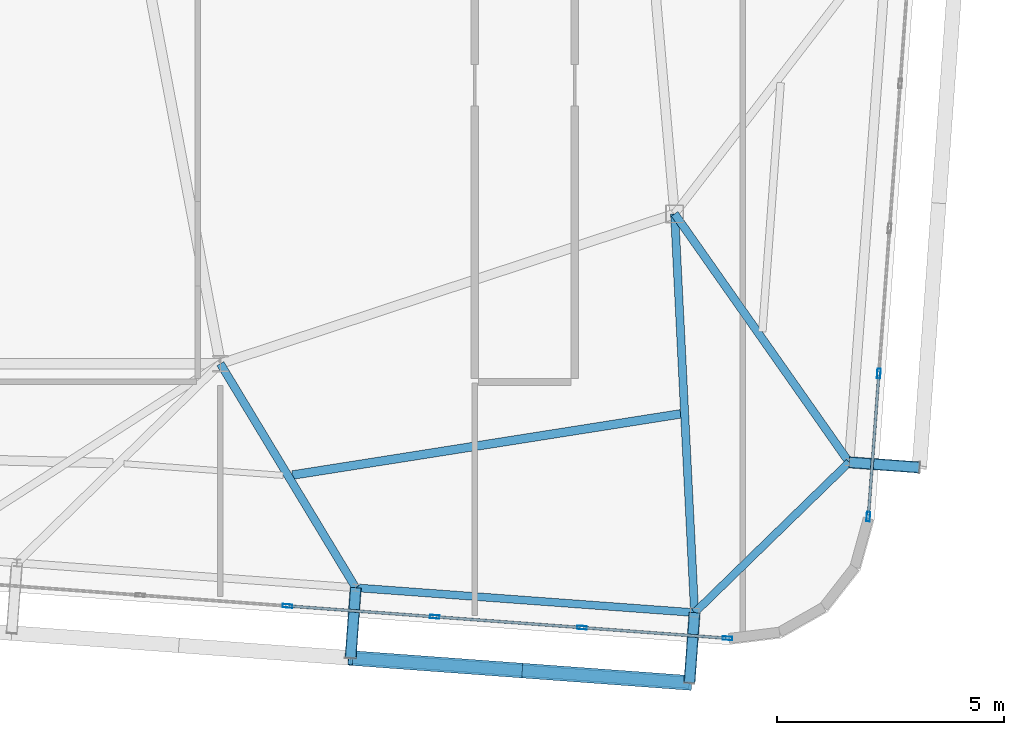
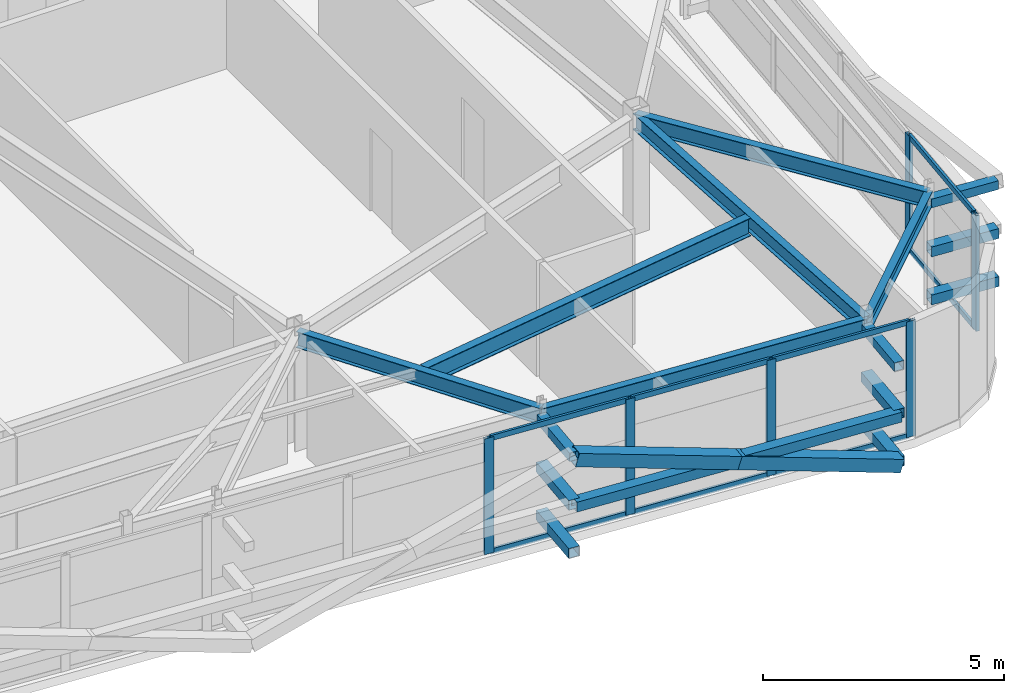
# One storey, part 19 of 42: 26 members, 6 beams, 2 elements without a shape of their own.
"""IFC4 building model written with IfcOpenShell, lengths in metres."""

from ifc_helpers import new_model, si_unit, direction, frame, origin, origin_2d, place, context, subcontext, project, spatial, hollow_rectangle, i_section, extrude, source, transform, mapped, material, layer, layer_set, material_profile, profile_set, type_object, element, aggregate, save


model = new_model("IFC4")

# Units and contexts
model_context = context("Model", 3, precision=1e-05, world=origin(), true_north=direction((0.0, 1.0)))
body_context = subcontext(model_context, "Body", "Model", "MODEL_VIEW")
ifc_project = project(units=[si_unit("LENGTHUNIT", "METRE"), si_unit("AREAUNIT", "SQUARE_METRE"), si_unit("VOLUMEUNIT", "CUBIC_METRE"), si_unit("PLANEANGLEUNIT", "RADIAN"), si_unit("MASSUNIT", "GRAM", prefix="KILO")], contexts=[model_context])

# Site, building, storey
site_placement = place(None, origin())
site = spatial("IfcSite", under=ifc_project, at=site_placement, CompositionType="ELEMENT")
building_placement = place(site_placement, origin())
building = spatial("IfcBuilding", under=site, at=building_placement, Name="Taldren Reach Tower", CompositionType="ELEMENT")
storey_placement = place(building_placement, frame((0.0, 0.0, 214.550048828125)))
storey = spatial("IfcBuildingStorey", under=building, at=storey_placement, Name="L65", CompositionType="ELEMENT", Elevation=214.550048828125)

# Members
ifc_material_1 = material(Name="Steel Gr 350 (C350L0)", Category="steel")
ifc_material_profile_1 = material_profile(ifc_material_1, hollow_rectangle(XDim=0.25, YDim=0.25, WallThickness=0.010009765625, at=origin_2d()), Name="250x250x10.0SHS")
ifc_profile_set_1 = profile_set([ifc_material_profile_1], Name="Steel Gr 350 (C350L0)")
member_type_1 = type_object("IfcMemberType", Name="MB-POST250", PredefinedType="POST", material=ifc_profile_set_1)
shared_shape_1 = source(origin(), body_context, "Body", "SweptSolid", [
    extrude(hollow_rectangle(XDim=0.25, YDim=0.25, WallThickness=0.010009765625, at=origin_2d()), origin(), (0.0, 0.0, 1.0), 1.550048828125),
])
for number, where, z_axis, x_axis, name in (
    (1, (44.980224609375, 4.26904296875, 0.219970703125), (-0.07323929162, -0.997314396849, 0.0), (0.997314396849, -0.07323929162, 0.0), "Exoskeleton base diaphragm tie strut B5-S5 L65"),
    (2, (52.440185546875, 3.72119140625, 0.219970703125), (-0.07323929162, -0.997314396849, 0.0), (0.997314396849, -0.07323929162, 0.0), "Exoskeleton base diaphragm tie strut B5-S6 L65"),
    (3, (44.980224609375, 4.26904296875, 1.43505859375), (-0.07323929162, -0.997314396849, 0.0), (0.997314396849, -0.07323929162, 0.0), "Exoskeleton mid-tier diaphragm tie B5-S5 L65"),
    (4, (52.440185546875, 3.72119140625, 1.43505859375), (-0.07323929162, -0.997314396849, 0.0), (0.997314396849, -0.07323929162, 0.0), "Exoskeleton mid-tier diaphragm tie B5-S6 L65"),
):
    element("IfcMember", number, at=place(storey_placement, frame(where, z_axis=z_axis, x_axis=x_axis)), inside=storey, type_object=member_type_1, Name=name, PredefinedType="POST", context=body_context, shape_type="MappedRepresentation", body=[
        mapped(shared_shape_1, transform((0.0, 0.0, 0.0), scale=1.0)),
    ])
ifc_material_2 = material(Name="Steel Gr 450 (C450L0)", Category="steel")
ifc_material_profile_2 = material_profile(ifc_material_2, hollow_rectangle(XDim=0.219970703125, YDim=0.219970703125, WallThickness=0.00830078125, at=origin_2d()), Name="220x220x8.2SHS")
ifc_profile_set_2 = profile_set([ifc_material_profile_2], Name="Steel Gr 450 (C450L0)")
member_type_2 = type_object("IfcMemberType", Name="MB-TIE219", PredefinedType="STRUT", material=ifc_profile_set_2)
shared_shape_2 = source(origin(), body_context, "Body", "SweptSolid", [
    extrude(hollow_rectangle(XDim=0.219970703125, YDim=0.219970703125, WallThickness=0.00830078125, at=origin_2d()), origin(), (0.0, 0.0, 1.0), 1.550048828125),
])
for number, where, z_axis, x_axis, name in (
    (5, (44.980224609375, 4.26904296875, 2.64990234375), (-0.07323929162, -0.997314396849, 0.0), (0.997314396849, -0.07323929162, 0.0), "Exoskeleton diaphragm tie strut B5-S5 L65"),
    (6, (52.440185546875, 3.72119140625, 2.64990234375), (-0.07323929162, -0.997314396849, 0.0), (0.997314396849, -0.07323929162, 0.0), "Exoskeleton diaphragm tie strut B5-S6 L65"),
):
    element("IfcMember", number, at=place(storey_placement, frame(where, z_axis=z_axis, x_axis=x_axis)), inside=storey, type_object=member_type_2, Name=name, PredefinedType="STRUT", context=body_context, shape_type="MappedRepresentation", body=[
        mapped(shared_shape_2, transform((0.0, 0.0, 0.0), scale=1.0)),
    ])

# Beams
ifc_material_3 = material(Name="Steel Gr 350 (350PLUS)", Category="steel")
ifc_material_profile_3 = material_profile(ifc_material_3, i_section(OverallWidth=0.172119140625, OverallDepth=0.35888671875, WebThickness=0.008056640625, FlangeThickness=0.012939453125, at=origin_2d()), Name="360UB56.7")
ifc_profile_set_3 = profile_set([ifc_material_profile_3], Name="Steel Gr 350 (350PLUS)")
beam_type_1 = type_object("IfcBeamType", Name="SP-UB360", PredefinedType="SPANDREL", material=ifc_profile_set_3)
shared_shape_3 = source(origin(), body_context, "Body", "SweptSolid", [
    extrude(i_section(OverallWidth=0.172119140625, OverallDepth=0.35888671875, WebThickness=0.008056640625, FlangeThickness=0.012939453125, at=origin_2d()), origin(), (0.0, 0.0, 1.0), 7.47998046875),
])
beam_1_placement = place(storey_placement, frame((44.980224609375, 4.26904296875, 2.75048828125), z_axis=(0.997314220642, -0.07324169103, 0.0), x_axis=(0.07324169103, 0.997314220642, 0.0)))
element("IfcBeam", 7, at=beam_1_placement, inside=storey, type_object=beam_type_1, Name="Perimeter spandrel B5 S5-S6 L65", PredefinedType="SPANDREL", context=body_context, shape_type="MappedRepresentation", body=[
    mapped(shared_shape_3, transform((0.0, 0.0, 0.0), scale=1.0)),
])
shared_shape_4 = source(origin(), body_context, "Body", "SweptSolid", [
    extrude(i_section(OverallWidth=0.172119140625, OverallDepth=0.35888671875, WebThickness=0.008056640625, FlangeThickness=0.012939453125, at=origin_2d()), origin(), (0.0, 0.0, 1.0), 4.74609375),
])
beam_2_placement = place(storey_placement, frame((52.440185546875, 3.72119140625, 2.75048828125), z_axis=(0.716711338436, 0.697369957309, 0.0), x_axis=(-0.697369957309, 0.716711338436, 0.0)))
element("IfcBeam", 8, at=beam_2_placement, inside=storey, type_object=beam_type_1, Name="Perimeter spandrel B5 S6-E1 L65", PredefinedType="SPANDREL", context=body_context, shape_type="MappedRepresentation", body=[
    mapped(shared_shape_4, transform((0.0, 0.0, 0.0), scale=1.0)),
])
ifc_material_profile_4 = material_profile(ifc_material_3, i_section(OverallWidth=0.177978515625, OverallDepth=0.406005859375, WebThickness=0.0078125, FlangeThickness=0.0126953125, at=origin_2d()), Name="410UB59.7")
ifc_profile_set_4 = profile_set([ifc_material_profile_4], Name="Steel Gr 350 (350PLUS)")
beam_type_2 = type_object("IfcBeamType", Name="BM-UB410", PredefinedType="BEAM", material=ifc_profile_set_4)
shared_shape_5 = source(origin(), body_context, "Body", "SweptSolid", [
    extrude(i_section(OverallWidth=0.177978515625, OverallDepth=0.406005859375, WebThickness=0.0078125, FlangeThickness=0.0126953125, at=origin_2d()), origin(), (0.0, 0.0, 1.0), 5.761474609375),
])
beam_3_placement = place(storey_placement, frame((42.0, 9.199951171875, 2.72705078125), z_axis=(0.517259852514, -0.855828396922, 0.0), x_axis=(0.855828396922, 0.517259852514, 0.0)))
element("IfcBeam", 9, at=beam_3_placement, inside=storey, type_object=beam_type_2, Name="Primary floor girder B5-S5 L65", PredefinedType="BEAM", context=body_context, shape_type="MappedRepresentation", body=[
    mapped(shared_shape_5, transform((0.0, 0.0, 0.0), scale=1.0)),
])
shared_shape_6 = source(origin(), body_context, "Body", "SweptSolid", [
    extrude(i_section(OverallWidth=0.177978515625, OverallDepth=0.406005859375, WebThickness=0.0078125, FlangeThickness=0.0126953125, at=origin_2d()), origin(), (0.0, 0.0, 1.0), 8.789794921875),
])
beam_4_placement = place(storey_placement, frame((52.0, 12.5, 2.72705078125), z_axis=(0.050078917367, -0.998745263836, 0.0), x_axis=(0.998745263836, 0.050078917367, 0.0)))
element("IfcBeam", 10, at=beam_4_placement, inside=storey, type_object=beam_type_2, Name="Primary floor girder B5-S6 L65", PredefinedType="BEAM", context=body_context, shape_type="MappedRepresentation", body=[
    mapped(shared_shape_6, transform((0.0, 0.0, 0.0), scale=1.0)),
])
shared_shape_7 = source(origin(), body_context, "Body", "SweptSolid", [
    extrude(i_section(OverallWidth=0.177978515625, OverallDepth=0.406005859375, WebThickness=0.0078125, FlangeThickness=0.0126953125, at=origin_2d()), origin(), (0.0, 0.0, 1.0), 6.68359375),
])
beam_5_placement = place(storey_placement, frame((52.0, 12.5, 2.72705078125), z_axis=(0.574817292651, -0.818281785249, 0.0), x_axis=(0.818281785249, 0.574817292651, 0.0)))
element("IfcBeam", 11, at=beam_5_placement, inside=storey, type_object=beam_type_2, Name="Primary floor girder B5-E1 L65", PredefinedType="BEAM", context=body_context, shape_type="MappedRepresentation", body=[
    mapped(shared_shape_7, transform((0.0, 0.0, 0.0), scale=1.0)),
])
ifc_material_profile_5 = material_profile(ifc_material_3, i_section(OverallWidth=0.19091796875, OverallDepth=0.4599609375, WebThickness=0.010009765625, FlangeThickness=0.01611328125, at=origin_2d()), Name="460UB82.1")
ifc_profile_set_5 = profile_set([ifc_material_profile_5], Name="Steel Gr 350 (350PLUS)")
beam_type_3 = type_object("IfcBeamType", Name="BM-UB460A", PredefinedType="BEAM", material=ifc_profile_set_5)
shared_shape_8 = source(origin(), body_context, "Body", "SweptSolid", [
    extrude(i_section(OverallWidth=0.19091796875, OverallDepth=0.4599609375, WebThickness=0.010009765625, FlangeThickness=0.01611328125, at=origin_2d()), origin(), (0.0, 0.0, 1.0), 8.65185546875),
])
beam_6_placement = place(storey_placement, frame((43.585205078125, 6.74951171875, 2.699951171875), z_axis=(0.987803200413, 0.155707537562, 0.0), x_axis=(-0.155707537562, 0.987803200413, 0.0)))
element("IfcBeam", 12, at=beam_6_placement, inside=storey, type_object=beam_type_3, Name="Secondary floor beam B5 J5 L65", PredefinedType="BEAM", context=body_context, shape_type="MappedRepresentation", body=[
    mapped(shared_shape_8, transform((0.0, 0.0, 0.0), scale=1.0)),
])

# Members
shared_shape_9 = source(origin(), body_context, "Body", "SweptSolid", [
    extrude(hollow_rectangle(XDim=0.219970703125, YDim=0.219970703125, WallThickness=0.00830078125, at=origin_2d()), origin(), (0.0, 0.0, 1.0), 1.546142578125),
])
member_1_placement = place(storey_placement, frame((55.845703125, 7.030517578125, 2.64990234375), z_axis=(0.997323903953, -0.073109716202, 0.0), x_axis=(0.073109716202, 0.997323903953, 0.0)))
element("IfcMember", 13, at=member_1_placement, inside=storey, type_object=member_type_2, Name="Exoskeleton diaphragm tie strut B5-E1 L65", PredefinedType="STRUT", context=body_context, shape_type="MappedRepresentation", body=[
    mapped(shared_shape_9, transform((0.0, 0.0, 0.0), scale=1.0)),
])
ifc_material_profile_6 = material_profile(ifc_material_2, hollow_rectangle(XDim=0.324951171875, YDim=0.324951171875, WallThickness=0.0126953125, at=origin_2d()), Name="325x325x12.7SHS")
ifc_profile_set_6 = profile_set([ifc_material_profile_6], Name="Steel Gr 450 (C450L0)")
member_type_3 = type_object("IfcMemberType", Name="MB-BR324", PredefinedType="BRACE", material=ifc_profile_set_6)
shared_shape_10 = source(origin(), body_context, "Body", "SweptSolid", [
    extrude(hollow_rectangle(XDim=0.324951171875, YDim=0.324951171875, WallThickness=0.0126953125, at=origin_2d()), origin(), (0.0, 0.0, 1.0), 3.932373046875),
])
for number, where, z_axis, x_axis, name in (
    (14, (52.32666015625, 2.17529296875, 0.219970703125), (-0.948511132845, 0.069657644394, 0.308989390507), (-0.07324169103, -0.997314220642, 0.0), "Exoskeleton Diagrid Brace B5-S5 L65"),
    (15, (48.5966796875, 2.44921875, 1.43505859375), (-0.948529326954, 0.06965898055, 0.308933232813), (-0.07324169103, -0.997314220642, 0.0), "Exoskeleton Diagrid Brace B5-S5 L65"),
):
    element("IfcMember", number, at=place(storey_placement, frame(where, z_axis=z_axis, x_axis=x_axis)), inside=storey, type_object=member_type_3, Name=name, PredefinedType="BRACE", context=body_context, shape_type="MappedRepresentation", body=[
        mapped(shared_shape_10, transform((0.0, 0.0, 0.0), scale=1.0)),
    ])
shared_shape_11 = source(origin(), body_context, "Body", "SweptSolid", [
    extrude(hollow_rectangle(XDim=0.25, YDim=0.25, WallThickness=0.010009765625, at=origin_2d()), origin(), (0.0, 0.0, 1.0), 7.47998046875),
])
member_2_placement = place(storey_placement, frame((44.86669921875, 2.72314453125, 1.43505859375), z_axis=(0.997314220642, -0.07324169103, 0.0), x_axis=(0.07324169103, 0.997314220642, 0.0)))
element("IfcMember", 16, at=member_2_placement, inside=storey, type_object=member_type_1, Name="Exoskeleton mid-height ring chord B5-S5 L65", PredefinedType="POST", context=body_context, shape_type="MappedRepresentation", body=[
    mapped(shared_shape_11, transform((0.0, 0.0, 0.0), scale=1.0)),
])
shared_shape_12 = source(origin(), body_context, "Body", "SweptSolid", [
    extrude(hollow_rectangle(XDim=0.25, YDim=0.25, WallThickness=0.010009765625, at=origin_2d()), origin(), (0.0, 0.0, 1.0), 1.546142578125),
])
for number, where, z_axis, x_axis, name in (
    (17, (55.845703125, 7.030517578125, 0.219970703125), (0.997323903953, -0.073109716202, 0.0), (0.073109716202, 0.997323903953, 0.0), "Exoskeleton base diaphragm tie strut B5-E1 L65"),
    (18, (55.845703125, 7.030517578125, 1.43505859375), (0.997323903953, -0.073109716202, 0.0), (0.073109716202, 0.997323903953, 0.0), "Exoskeleton mid-tier diaphragm tie B5-E1 L65"),
):
    element("IfcMember", number, at=place(storey_placement, frame(where, z_axis=z_axis, x_axis=x_axis)), inside=storey, type_object=member_type_1, Name=name, PredefinedType="POST", context=body_context, shape_type="MappedRepresentation", body=[
        mapped(shared_shape_12, transform((0.0, 0.0, 0.0), scale=1.0)),
    ])

# Curtain wall, members
ifc_material_4 = material(Name="Aluminium and Low-E Glass Unitised System", Category="aluminium")
ifc_layer = layer(ifc_material_4, 0.159912109375)
ifc_layer_set = layer_set([ifc_layer], Name="Aluminium and Low-E Glass Unitised System")
curtain_wall_type = type_object("IfcCurtainWallType", Name="CW-SYS-6", PredefinedType="NOTDEFINED", material=ifc_layer_set)
curtain_wall_1_placement = place(storey_placement, origin())
curtain_wall_1 = element("IfcCurtainWall", 19, at=curtain_wall_1_placement, inside=storey, type_object=curtain_wall_type, Name="Unitised curtain wall CW-L65-S", PredefinedType="NOTDEFINED")
ifc_material_5 = material(Name="Anodised Aluminium 6063-T6", Category="aluminium")
ifc_material_profile_7 = material_profile(ifc_material_5, hollow_rectangle(XDim=0.074951171875, YDim=0.2099609375, WallThickness=0.00439453125, at=origin_2d()), Name="ALU-210x75x4.5RHS")
ifc_profile_set_7 = profile_set([ifc_material_profile_7], Name="Anodised Aluminium 6063-T6")
member_type_4 = type_object("IfcMemberType", Name="CW-MUL-200", PredefinedType="MULLION", material=ifc_profile_set_7)
shared_shape_13 = source(origin(), body_context, "Body", "SweptSolid", [
    extrude(hollow_rectangle(XDim=0.074951171875, YDim=0.2099609375, WallThickness=0.00439453125, at=origin_2d()), origin(), (0.0, 0.0, 1.0), 2.929931640625),
])
member_3_placement = place(storey_placement, frame((43.476806640625, 3.867919921875, 0.0), z_axis=(0.0, 0.0, 1.0), x_axis=(0.073238213716, 0.997314476006, 0.0)))
member_3 = element("IfcMember", 20, at=member_3_placement, type_object=member_type_4, Name="CW-6 mullion 10", PredefinedType="MULLION", context=body_context, shape_type="MappedRepresentation", body=[
    mapped(shared_shape_13, transform((0.0, 0.0, 0.0), scale=1.0)),
])
member_4_placement = place(storey_placement, frame((46.71826171875, 3.6298828125, 0.0), z_axis=(0.0, 0.0, 1.0), x_axis=(0.073238213716, 0.997314476006, 0.0)))
member_4 = element("IfcMember", 21, at=member_4_placement, type_object=member_type_4, Name="CW-6 mullion 11", PredefinedType="MULLION", context=body_context, shape_type="MappedRepresentation", body=[
    mapped(shared_shape_13, transform((0.0, 0.0, 0.0), scale=1.0)),
])
member_5_placement = place(storey_placement, frame((49.95947265625, 3.391845703125, 0.0), z_axis=(0.0, 0.0, 1.0), x_axis=(0.073238213716, 0.997314476006, 0.0)))
member_5 = element("IfcMember", 22, at=member_5_placement, type_object=member_type_4, Name="CW-6 mullion 12", PredefinedType="MULLION", context=body_context, shape_type="MappedRepresentation", body=[
    mapped(shared_shape_13, transform((0.0, 0.0, 0.0), scale=1.0)),
])
member_6_placement = place(storey_placement, frame((53.163330078125, 3.15673828125, 0.0), z_axis=(0.0, 0.0, 1.0), x_axis=(0.073238213716, 0.997314476006, 0.0)))
member_6 = element("IfcMember", 23, at=member_6_placement, type_object=member_type_4, Name="CW-6 mullion 13", PredefinedType="MULLION", context=body_context, shape_type="MappedRepresentation", body=[
    mapped(shared_shape_13, transform((0.0, 0.0, 0.0), scale=1.0)),
])

curtain_wall_2_placement = place(storey_placement, origin())
curtain_wall_2 = element("IfcCurtainWall", 24, at=curtain_wall_2_placement, inside=storey, type_object=curtain_wall_type, Name="Unitised curtain wall CW-L65-E", PredefinedType="NOTDEFINED")
member_7_placement = place(storey_placement, frame((56.26513671875, 5.834228515625, 0.0), z_axis=(0.0, 0.0, 1.0), x_axis=(-0.997314470951, 0.073238282558, 0.0)))
member_7 = element("IfcMember", 25, at=member_7_placement, type_object=member_type_4, Name="CW-6 mullion 1", PredefinedType="MULLION", context=body_context, shape_type="MappedRepresentation", body=[
    mapped(shared_shape_13, transform((0.0, 0.0, 0.0), scale=1.0)),
])
member_8_placement = place(storey_placement, frame((56.496826171875, 8.98828125, 0.0), z_axis=(0.0, 0.0, 1.0), x_axis=(-0.997314470951, 0.073238282558, 0.0)))
member_8 = element("IfcMember", 26, at=member_8_placement, type_object=member_type_4, Name="CW-6 mullion 2", PredefinedType="MULLION", context=body_context, shape_type="MappedRepresentation", body=[
    mapped(shared_shape_13, transform((0.0, 0.0, 0.0), scale=1.0)),
])

# Member
ifc_material_profile_8 = material_profile(ifc_material_5, hollow_rectangle(XDim=0.06005859375, YDim=0.135009765625, WallThickness=0.00341796875, at=origin_2d()), Name="ALU-135x60x3.5RHS")
ifc_profile_set_8 = profile_set([ifc_material_profile_8], Name="Anodised Aluminium 6063-T6")
member_type_5 = type_object("IfcMemberType", Name="CW-TRN-150", PredefinedType="USERDEFINED", material=ifc_profile_set_8)
shared_shape_14 = source(origin(), body_context, "Body", "SweptSolid", [
    extrude(hollow_rectangle(XDim=0.06005859375, YDim=0.135009765625, WallThickness=0.00341796875, at=origin_2d()), origin(), (0.0, 0.0, 1.0), 3.1748046875),
])
member_9_placement = place(storey_placement, frame((43.514404296875, 3.865234375, 0.030029296875), z_axis=(0.997316632709, -0.073208839104, 0.0), x_axis=(0.073208839104, 0.997316632709, 0.0)))
member_9 = element("IfcMember", 27, at=member_9_placement, type_object=member_type_5, Name="CW-6 transom 10.1", ObjectType="TRANSOM", PredefinedType="USERDEFINED", context=body_context, shape_type="MappedRepresentation", body=[
    mapped(shared_shape_14, transform((0.0, 0.0, 0.0), scale=1.0)),
])

member_10_placement = place(storey_placement, frame((43.514404296875, 3.865234375, 2.89990234375), z_axis=(0.997316632709, -0.073208839104, 0.0), x_axis=(0.073208839104, 0.997316632709, 0.0)))
member_10 = element("IfcMember", 28, at=member_10_placement, type_object=member_type_5, Name="CW-6 transom 10.2", ObjectType="TRANSOM", PredefinedType="USERDEFINED", context=body_context, shape_type="MappedRepresentation", body=[
    mapped(shared_shape_14, transform((0.0, 0.0, 0.0), scale=1.0)),
])

shared_shape_15 = source(origin(), body_context, "Body", "SweptSolid", [
    extrude(hollow_rectangle(XDim=0.06005859375, YDim=0.135009765625, WallThickness=0.00341796875, at=origin_2d()), origin(), (0.0, 0.0, 1.0), 3.175048828125),
])
member_11_placement = place(storey_placement, frame((46.755615234375, 3.627197265625, 0.030029296875), z_axis=(0.99731704481, -0.073203224877, 0.0), x_axis=(0.073203224877, 0.99731704481, 0.0)))
member_11 = element("IfcMember", 29, at=member_11_placement, type_object=member_type_5, Name="CW-6 transom 11.1", ObjectType="TRANSOM", PredefinedType="USERDEFINED", context=body_context, shape_type="MappedRepresentation", body=[
    mapped(shared_shape_15, transform((0.0, 0.0, 0.0), scale=1.0)),
])

member_12_placement = place(storey_placement, frame((46.755615234375, 3.627197265625, 2.89990234375), z_axis=(0.99731704481, -0.073203224877, 0.0), x_axis=(0.073203224877, 0.99731704481, 0.0)))
member_12 = element("IfcMember", 30, at=member_12_placement, type_object=member_type_5, Name="CW-6 transom 11.2", ObjectType="TRANSOM", PredefinedType="USERDEFINED", context=body_context, shape_type="MappedRepresentation", body=[
    mapped(shared_shape_15, transform((0.0, 0.0, 0.0), scale=1.0)),
])

shared_shape_16 = source(origin(), body_context, "Body", "SweptSolid", [
    extrude(hollow_rectangle(XDim=0.06005859375, YDim=0.135009765625, WallThickness=0.00341796875, at=origin_2d()), origin(), (0.0, 0.0, 1.0), 3.137451171875),
])
member_13_placement = place(storey_placement, frame((49.996826171875, 3.38916015625, 0.030029296875), z_axis=(0.997315736795, -0.073221043015, 0.0), x_axis=(0.073221043015, 0.997315736795, 0.0)))
member_13 = element("IfcMember", 31, at=member_13_placement, type_object=member_type_5, Name="CW-6 transom 12.1", ObjectType="TRANSOM", PredefinedType="USERDEFINED", context=body_context, shape_type="MappedRepresentation", body=[
    mapped(shared_shape_16, transform((0.0, 0.0, 0.0), scale=1.0)),
])

member_14_placement = place(storey_placement, frame((49.996826171875, 3.38916015625, 2.89990234375), z_axis=(0.997315736795, -0.073221043015, 0.0), x_axis=(0.073221043015, 0.997315736795, 0.0)))
member_14 = element("IfcMember", 32, at=member_14_placement, type_object=member_type_5, Name="CW-6 transom 12.2", ObjectType="TRANSOM", PredefinedType="USERDEFINED", context=body_context, shape_type="MappedRepresentation", body=[
    mapped(shared_shape_16, transform((0.0, 0.0, 0.0), scale=1.0)),
])

aggregate(curtain_wall_1, [member_3, member_4, member_5, member_6, member_9, member_10, member_11, member_12, member_13, member_14])

shared_shape_17 = source(origin(), body_context, "Body", "SweptSolid", [
    extrude(hollow_rectangle(XDim=0.06005859375, YDim=0.135009765625, WallThickness=0.00341796875, at=origin_2d()), origin(), (0.0, 0.0, 1.0), 3.08740234375),
])
member_15_placement = place(storey_placement, frame((56.26806640625, 5.87158203125, 0.030029296875), z_axis=(0.073225031802, 0.997315443938, 0.0), x_axis=(-0.997315443938, 0.073225031802, 0.0)))
member_15 = element("IfcMember", 33, at=member_15_placement, type_object=member_type_5, Name="CW-6 transom 1.1", ObjectType="TRANSOM", PredefinedType="USERDEFINED", context=body_context, shape_type="MappedRepresentation", body=[
    mapped(shared_shape_17, transform((0.0, 0.0, 0.0), scale=1.0)),
])

member_16_placement = place(storey_placement, frame((56.26806640625, 5.87158203125, 2.89990234375), z_axis=(0.073225031802, 0.997315443938, 0.0), x_axis=(-0.997315443938, 0.073225031802, 0.0)))
member_16 = element("IfcMember", 34, at=member_16_placement, type_object=member_type_5, Name="CW-6 transom 1.2", ObjectType="TRANSOM", PredefinedType="USERDEFINED", context=body_context, shape_type="MappedRepresentation", body=[
    mapped(shared_shape_17, transform((0.0, 0.0, 0.0), scale=1.0)),
])

aggregate(curtain_wall_2, [member_7, member_8, member_15, member_16])

save(model, "model.ifc")
